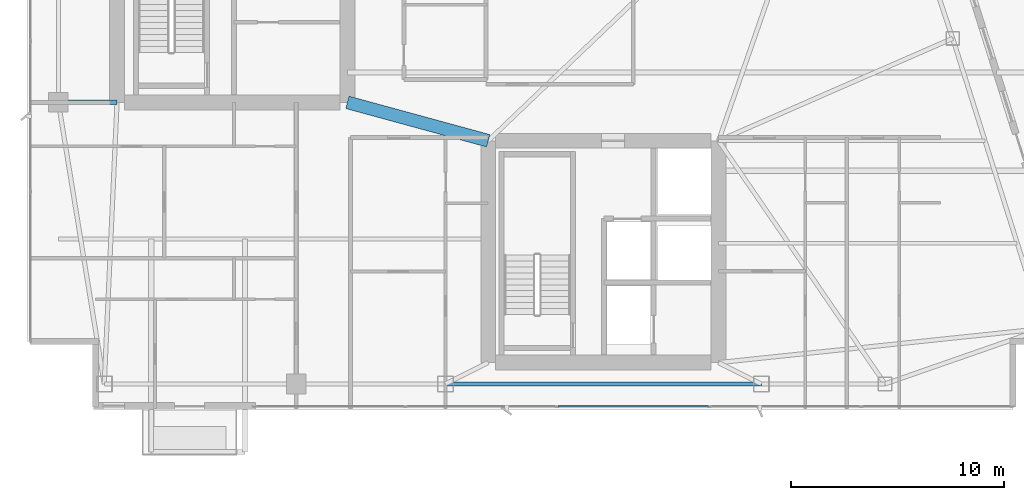
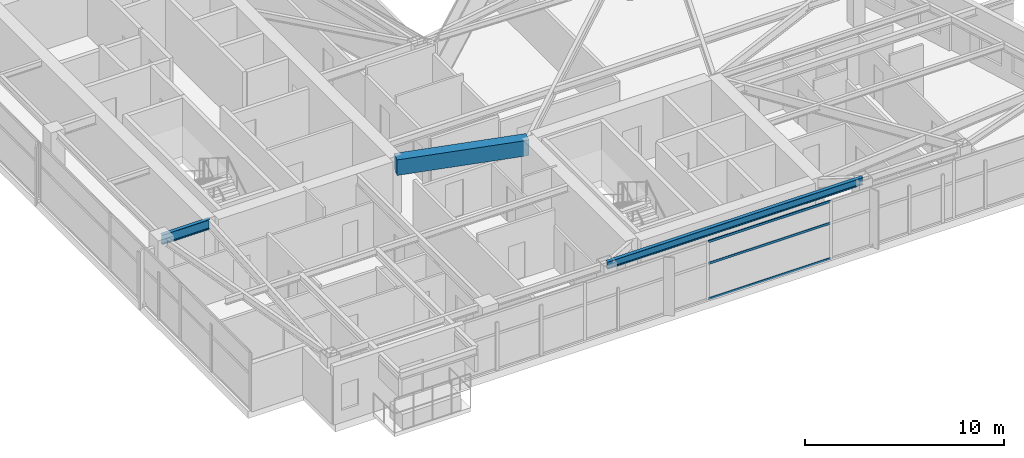
# One storey, part 7 of 28: 3 beams, 3 members, 1 element without a shape of its own.
"""IFC4 building model written with IfcOpenShell, lengths in metres."""

import ifcopenshell
import ifcopenshell.guid

model = None  # the IFC model being written
_history = None  # IfcOwnerHistory: only IFC2X3 demands one
_inside = {}  # id of a spatial element -> (the spatial element, [elements in it])
_under = {}  # id of a project, library or spatial element -> (it, [spatial elements below it])
_declared = {}  # id of a project -> (the project, [libraries it declares])
_typed = {}  # id of a type object -> (the type object, [elements of that type])
_made_of = {}  # id of a material, layer set ... -> (it, [elements and type objects made of it])


def new_model(schema):
    """Start an empty IFC model of exactly this schema.

    Asked for "IFC4X3", IfcOpenShell would pick the latest addendum, in which some entities
    have other attributes; the version numbers below select the first issue.
    IFC2X3 requires an IfcOwnerHistory on every rooted entity: one is made here for all.
    """
    global model, _history
    if schema == "IFC4X3":
        model = ifcopenshell.file(schema_version=(4, 3, 0, 0))
    else:
        model = ifcopenshell.file(schema=schema)
    _inside.clear()
    _under.clear()
    _declared.clear()
    _typed.clear()
    _made_of.clear()
    _history = None
    if model.schema == "IFC2X3":
        org = make("IfcOrganization", Name="unknown")
        user = make(
            "IfcPersonAndOrganization",
            ThePerson=make("IfcPerson", FamilyName="unknown"),
            TheOrganization=org,
        )
        app = make(
            "IfcApplication",
            ApplicationDeveloper=org,
            Version="unknown",
            ApplicationFullName="unknown",
            ApplicationIdentifier="unknown",
        )
        _history = make(
            "IfcOwnerHistory",
            OwningUser=user,
            OwningApplication=app,
            ChangeAction="ADDED",
            CreationDate=0,
        )
    return model


def make(cls, **values):
    """One entity of the class cls with the attributes given. An attribute that is None is left unset."""
    return model.create_entity(
        cls, **{name: value for name, value in values.items() if value is not None}
    )


def rooted(cls, **values):
    """An entity with a GlobalId (a new one), such as an element, a storey or a relation."""
    return make(cls, GlobalId=ifcopenshell.guid.new(), OwnerHistory=_history, **values)


def si_unit(unit_type, name, prefix=None):
    """IfcSIUnit, for example si_unit("LENGTHUNIT", "METRE", prefix="MILLI")."""
    return make("IfcSIUnit", UnitType=unit_type, Prefix=prefix, Name=name)


def assignment(units):
    """IfcUnitAssignment: the units of a project."""
    return None if units is None else make("IfcUnitAssignment", Units=units)


def point(xyz):
    """IfcCartesianPoint."""
    return None if xyz is None else make("IfcCartesianPoint", Coordinates=xyz)


def direction(xyz):
    """IfcDirection."""
    return None if xyz is None else make("IfcDirection", DirectionRatios=xyz)


def frame(location, z_axis=None, x_axis=None):
    """IfcAxis2Placement3D, a coordinate frame: its origin and axes. An axis left out is left unset."""
    return make(
        "IfcAxis2Placement3D",
        Location=point(location),
        Axis=direction(z_axis),
        RefDirection=direction(x_axis),
    )


def frame_2d(location, x_axis=None):
    """IfcAxis2Placement2D, a coordinate frame in the plane: its origin and x axis."""
    return make(
        "IfcAxis2Placement2D", Location=point(location), RefDirection=direction(x_axis)
    )


def origin():
    """The frame at (0, 0, 0) with its axes left unset."""
    return frame((0.0, 0.0, 0.0))


def origin_2d():
    """The frame at (0, 0) in the plane with its x axis left unset."""
    return frame_2d((0.0, 0.0))


def place(relative_to, where):
    """IfcLocalPlacement: puts the frame where relative to a parent placement (None: the world)."""
    return make(
        "IfcLocalPlacement", PlacementRelTo=relative_to, RelativePlacement=where
    )


def context(
    kind, dimensions, precision=None, world=None, true_north=None, identifier=None
):
    """IfcGeometricRepresentationContext, for example the 3D "Model" context."""
    return make(
        "IfcGeometricRepresentationContext",
        ContextIdentifier=identifier,
        ContextType=kind,
        CoordinateSpaceDimension=dimensions,
        Precision=precision,
        WorldCoordinateSystem=world,
        TrueNorth=true_north,
    )


def subcontext(parent, identifier, kind, view, scale=None):
    """IfcGeometricRepresentationSubContext, for example "Body" below "Model"."""
    return make(
        "IfcGeometricRepresentationSubContext",
        ContextIdentifier=identifier,
        ContextType=kind,
        ParentContext=parent,
        TargetScale=scale,
        TargetView=view,
    )


def project(units=None, contexts=None):
    """IfcProject with its units and contexts."""
    return rooted(
        "IfcProject",
        Name="project",
        RepresentationContexts=contexts,
        UnitsInContext=assignment(units),
    )


def spatial(cls, under=None, at=None, **own):
    """A site, building, storey or space (cls), placed at a placement, below another one or the project."""
    s = rooted(cls, ObjectPlacement=at, **own)
    if under is not None:
        _under.setdefault(under.id(), (under, []))[1].append(s)
    return s


def profile(cls, at=None, kind="AREA", **sizes):
    """A parametric profile (cls). Its sizes go by their IFC names, for example OverallWidth=200.0."""
    return make(cls, ProfileType=kind, Position=at, **sizes)


def rectangle(**sizes):
    """IfcRectangleProfileDef."""
    return profile("IfcRectangleProfileDef", **sizes)


def hollow_rectangle(**sizes):
    """IfcRectangleHollowProfileDef."""
    return profile("IfcRectangleHollowProfileDef", **sizes)


def i_section(**sizes):
    """IfcIShapeProfileDef."""
    return profile("IfcIShapeProfileDef", **sizes)


def extrude(swept, where, along, depth):
    """IfcExtrudedAreaSolid: the profile swept, set in the frame where, extruded along a direction by depth."""
    return make(
        "IfcExtrudedAreaSolid",
        SweptArea=swept,
        Position=where,
        ExtrudedDirection=direction(along),
        Depth=depth,
    )


def shape(context_of_items, identifier, shape_type, items):
    """IfcShapeRepresentation: the items that make up one representation, for example the "Body"."""
    return make(
        "IfcShapeRepresentation",
        ContextOfItems=context_of_items,
        RepresentationIdentifier=identifier,
        RepresentationType=shape_type,
        Items=items,
    )


def material(Name=None, Category=None):
    """IfcMaterial."""
    return make("IfcMaterial", Name=Name, Category=Category)


def layer(
    of_material, thickness, ventilated=None, Name=None, Category=None, Priority=None
):
    """IfcMaterialLayer: one layer of a wall or slab, of a material (None: an air gap)."""
    return make(
        "IfcMaterialLayer",
        Material=of_material,
        LayerThickness=thickness,
        IsVentilated=ventilated,
        Name=Name,
        Category=Category,
        Priority=Priority,
    )


def layer_set(layers, Name=None):
    """IfcMaterialLayerSet."""
    return make("IfcMaterialLayerSet", MaterialLayers=layers, LayerSetName=Name)


def material_profile(
    of_material, cross_section, Name=None, Category=None, Priority=None
):
    """IfcMaterialProfile: a cross section and its material."""
    return make(
        "IfcMaterialProfile",
        Name=Name,
        Material=of_material,
        Profile=cross_section,
        Priority=Priority,
        Category=Category,
    )


def profile_set(profiles, Name=None, composite=None):
    """IfcMaterialProfileSet."""
    return make(
        "IfcMaterialProfileSet",
        Name=Name,
        MaterialProfiles=profiles,
        CompositeProfile=composite,
    )


def made_of(thing, what):
    """Note that an element or type object is made of a material, layer set ...; save() writes the relation."""
    if what is not None:
        _made_of.setdefault(what.id(), (what, []))[1].append(thing)
    return thing


def type_object(cls, material=None, **own):
    """A type object (cls), such as IfcWallType, which elements share."""
    return made_of(rooted(cls, **own), material)


def element(
    cls,
    number,
    at=None,
    inside=None,
    cuts=None,
    type_object=None,
    material=None,
    context=None,
    identifier="Body",
    shape_type=None,
    held_by="IfcProductDefinitionShape",
    body=None,
    shapes=None,
    **own,
):
    """One element of the class cls, such as IfcWall. Its Tag is "e" and its number.

    at: its placement. inside: the storey or other place that contains it. cuts: it is an
    opening in that element (IfcRelVoidsElement). A single representation is given by context,
    identifier, shape_type and body (its items); several are given by shapes. held_by: the class
    of the entity that holds the representations. save() writes the other relations.
    """
    e = rooted(cls, Tag="e%d" % number, ObjectPlacement=at, **own)
    if body is not None:
        shapes = [shape(context, identifier, shape_type, body)]
    if shapes is not None:
        e.Representation = make(held_by, Representations=shapes)
    if inside is not None:
        _inside.setdefault(inside.id(), (inside, []))[1].append(e)
    if cuts is not None:
        rooted(
            "IfcRelVoidsElement", RelatingBuildingElement=cuts, RelatedOpeningElement=e
        )
    if type_object is not None:
        _typed.setdefault(type_object.id(), (type_object, []))[1].append(e)
    return made_of(e, material)


def aggregate(whole, parts):
    """IfcRelAggregates: a whole, such as a stair, and the parts it consists of."""
    return rooted("IfcRelAggregates", RelatingObject=whole, RelatedObjects=parts)


def save(model, path):
    """Write the relations noted so far, then the file.

    IfcRelAggregates (storeys below a building ...), IfcRelContainedInSpatialStructure (elements
    in a storey), IfcRelDefinesByType, IfcRelAssociatesMaterial and IfcRelDeclares: one each for
    every whole, place, type object, material and project.
    """
    for whole, parts in _under.values():
        aggregate(whole, parts)
    for where, things in _inside.values():
        rooted(
            "IfcRelContainedInSpatialStructure",
            RelatedElements=things,
            RelatingStructure=where,
        )
    for kind, things in _typed.values():
        rooted("IfcRelDefinesByType", RelatedObjects=things, RelatingType=kind)
    for what, things in _made_of.values():
        rooted("IfcRelAssociatesMaterial", RelatedObjects=things, RelatingMaterial=what)
    for by, libraries in _declared.values():
        rooted("IfcRelDeclares", RelatingContext=by, RelatedDefinitions=libraries)
    model.write(path)


model = new_model("IFC4")

# Units and contexts
model_context = context("Model", 3, precision=1e-05, world=origin(), true_north=direction((0.0, 1.0)))
body_context = subcontext(model_context, "Body", "Model", "MODEL_VIEW")
ifc_project = project(units=[si_unit("LENGTHUNIT", "METRE"), si_unit("AREAUNIT", "SQUARE_METRE"), si_unit("VOLUMEUNIT", "CUBIC_METRE"), si_unit("PLANEANGLEUNIT", "RADIAN"), si_unit("MASSUNIT", "GRAM", prefix="KILO")], contexts=[model_context])

# Site, building, storey
site_placement = place(None, origin())
site = spatial("IfcSite", under=ifc_project, at=site_placement, CompositionType="ELEMENT")
building_placement = place(site_placement, origin())
building = spatial("IfcBuilding", under=site, at=building_placement, Name="Calvorn Quay Hotel", CompositionType="ELEMENT")
storey_placement = place(building_placement, frame((0.0, 0.0, 219.300048828125)))
storey = spatial("IfcBuildingStorey", under=building, at=storey_placement, Name="L54", CompositionType="ELEMENT", Elevation=219.300048828125)

# Beams
ifc_material_1 = material(Name="Steel Q355B", Category="steel")
ifc_material_profile_1 = material_profile(ifc_material_1, i_section(OverallWidth=0.199951171875, OverallDepth=0.60009765625, WebThickness=0.010986328125, FlangeThickness=0.01708984375, FilletRadius=0.01806640625, at=origin_2d()), Name="HN600x200x11x17")
ifc_profile_set_1 = profile_set([ifc_material_profile_1], Name="Steel Q355B")
beam_type_1 = type_object("IfcBeamType", Name="BM-GIRD-TYP", PredefinedType="BEAM", material=ifc_profile_set_1)
beam_1_placement = place(storey_placement, frame((1.449951171875, 16.800048828125, 3.239990234375), z_axis=(1.0, 0.0, 0.0), x_axis=(0.0, 1.0, 0.0)))
element("IfcBeam", 1, at=beam_1_placement, inside=storey, type_object=beam_type_1, Name="Beam BG-L54-W1", PredefinedType="BEAM", context=body_context, shape_type="SweptSolid", body=[
    extrude(i_section(OverallWidth=0.199951171875, OverallDepth=0.60009765625, WebThickness=0.010986328125, FlangeThickness=0.01708984375, FilletRadius=0.01806640625, at=origin_2d()), origin(), (0.0, 0.0, 1.0), 2.75),
])
ifc_material_2 = material(Name="Concrete C45", Category="concrete")
ifc_material_profile_2 = material_profile(ifc_material_2, rectangle(XDim=0.60009765625, YDim=0.949951171875, at=origin_2d()), Name="RCB600x950")
ifc_profile_set_2 = profile_set([ifc_material_profile_2], Name="Concrete C45")
beam_type_2 = type_object("IfcBeamType", Name="BM-RC-LINK-600x950", PredefinedType="BEAM", material=ifc_profile_set_2)
beam_2_placement = place(storey_placement, frame((15.0, 16.800048828125, 3.06494140625), z_axis=(0.964762997686, -0.263120425462, 0.0), x_axis=(0.263120425462, 0.964762997686, 0.0)))
element("IfcBeam", 2, at=beam_2_placement, inside=storey, type_object=beam_type_2, Name="Beam BCL-L54-01", PredefinedType="BEAM", context=body_context, shape_type="SweptSolid", body=[
    extrude(rectangle(XDim=0.60009765625, YDim=0.949951171875, at=origin_2d()), origin(), (0.0, 0.0, 1.0), 6.841064453125),
])
ifc_material_3 = material(Name="Steel Q355B", Category="steel")
ifc_material_profile_3 = material_profile(ifc_material_3, i_section(OverallWidth=0.199951171875, OverallDepth=0.449951171875, WebThickness=0.009033203125, FlangeThickness=0.013916015625, FilletRadius=0.01611328125, at=origin_2d()), Name="HN450x200x9x14")
ifc_profile_set_3 = profile_set([ifc_material_profile_3], Name="Steel Q355B")
beam_type_3 = type_object("IfcBeamType", Name="BM-SPANDREL-Z3", PredefinedType="SPANDREL", material=ifc_profile_set_3)
beam_3_placement = place(storey_placement, frame((19.60009765625, 3.60009765625, 3.31494140625), z_axis=(1.0, 0.0, 0.0), x_axis=(0.0, 1.0, 0.0)))
element("IfcBeam", 3, at=beam_3_placement, inside=storey, type_object=beam_type_3, Name="Beam BSP-L54-S3", PredefinedType="SPANDREL", context=body_context, shape_type="SweptSolid", body=[
    extrude(i_section(OverallWidth=0.199951171875, OverallDepth=0.449951171875, WebThickness=0.009033203125, FlangeThickness=0.013916015625, FilletRadius=0.01611328125, at=origin_2d()), origin(), (0.0, 0.0, 1.0), 14.7998046875),
])

# Curtain wall, members
ifc_material_4 = material(Name="Champagne Bronze Anodised Aluminium and Low-E Glass", Category="aluminium")
ifc_layer = layer(ifc_material_4, 0.219970703125)
ifc_layer_set = layer_set([ifc_layer], Name="CW-SYS-Z3")
curtain_wall_type = type_object("IfcCurtainWallType", Name="CW-SYS-Z3", PredefinedType="NOTDEFINED", material=ifc_layer_set)
curtain_wall_placement = place(storey_placement, origin())
curtain_wall = element("IfcCurtainWall", 4, at=curtain_wall_placement, inside=storey, type_object=curtain_wall_type, Name="Tower South Waterfront Curtain Wall (L54)", PredefinedType="NOTDEFINED")
ifc_material_5 = material(Name="Champagne Bronze Anodised Aluminium 6063-T6", Category="aluminium")
ifc_material_profile_4 = material_profile(ifc_material_5, hollow_rectangle(XDim=0.05810546875, YDim=0.139892578125, WallThickness=0.003173828125, at=origin_2d()), Name="ALU-T140x58x3.2")
ifc_profile_set_4 = profile_set([ifc_material_profile_4], Name="Champagne Bronze Anodised Aluminium 6063-T6")
member_type = type_object("IfcMemberType", Name="CW-SYS-Z3-TRN", PredefinedType="USERDEFINED", material=ifc_profile_set_4)
member_1_placement = place(storey_placement, frame((24.8701171875, 2.550048828125, 0.030029296875), z_axis=(1.0, 0.0, 0.0), x_axis=(0.0, 1.0, 0.0)))
member_1 = element("IfcMember", 5, at=member_1_placement, type_object=member_type, Name="CW-L54-S transom 3.1", ObjectType="TRANSOM", PredefinedType="USERDEFINED", context=body_context, shape_type="SweptSolid", body=[
    extrude(hollow_rectangle(XDim=0.05810546875, YDim=0.139892578125, WallThickness=0.003173828125, at=origin_2d()), origin(), (0.0, 0.0, 1.0), 7.059814453125),
])
member_2_placement = place(storey_placement, frame((24.8701171875, 2.550048828125, 2.199951171875), z_axis=(1.0, 0.0, 0.0), x_axis=(0.0, 1.0, 0.0)))
member_2 = element("IfcMember", 6, at=member_2_placement, type_object=member_type, Name="CW-L54-S transom 3.2", ObjectType="TRANSOM", PredefinedType="USERDEFINED", context=body_context, shape_type="SweptSolid", body=[
    extrude(hollow_rectangle(XDim=0.05810546875, YDim=0.139892578125, WallThickness=0.003173828125, at=origin_2d()), origin(), (0.0, 0.0, 1.0), 7.059814453125),
])
member_3_placement = place(storey_placement, frame((24.8701171875, 2.550048828125, 3.530029296875), z_axis=(1.0, 0.0, 0.0), x_axis=(0.0, 1.0, 0.0)))
member_3 = element("IfcMember", 7, at=member_3_placement, type_object=member_type, Name="CW-L54-S transom 3.3", ObjectType="TRANSOM", PredefinedType="USERDEFINED", context=body_context, shape_type="SweptSolid", body=[
    extrude(hollow_rectangle(XDim=0.05810546875, YDim=0.139892578125, WallThickness=0.003173828125, at=origin_2d()), origin(), (0.0, 0.0, 1.0), 7.059814453125),
])
aggregate(curtain_wall, [member_1, member_2, member_3])

save(model, "model.ifc")
